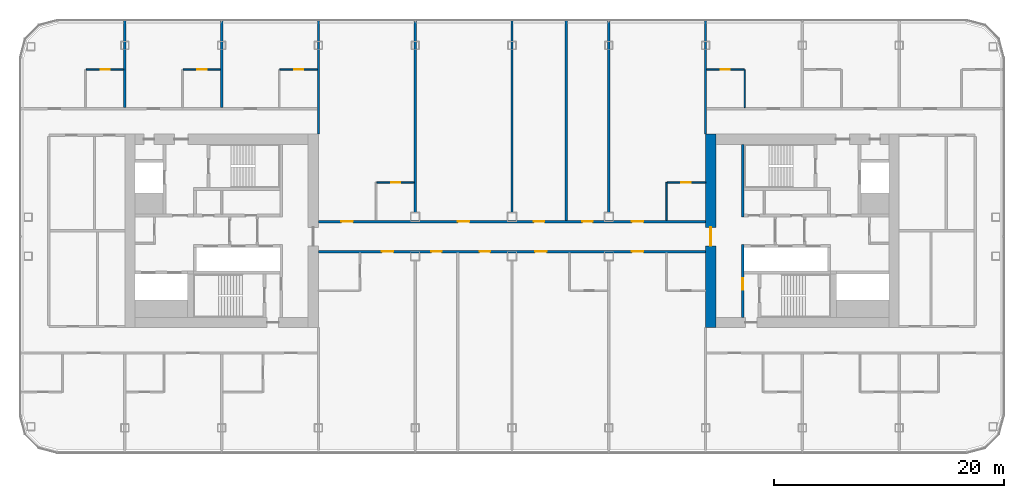
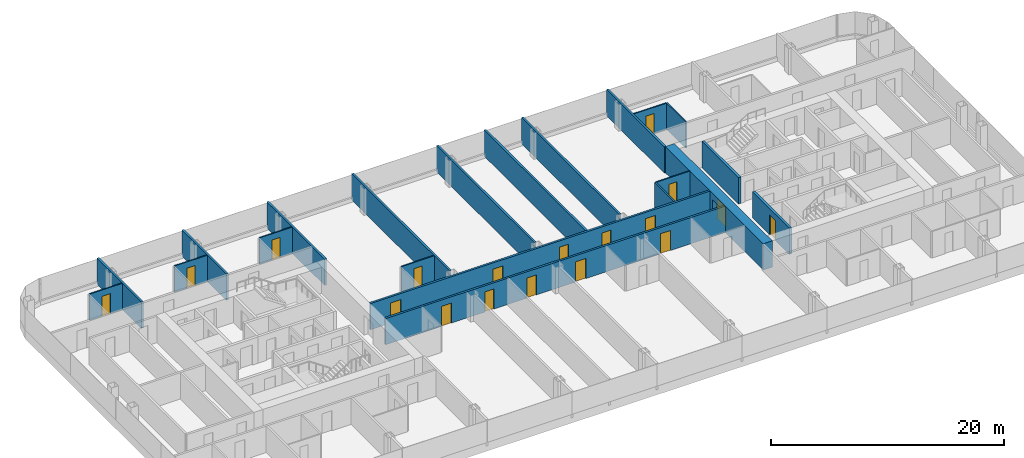
# One storey, part 14 of 25: 21 walls, 18 doors, 18 openings.
"""IFC4 building model written with IfcOpenShell, lengths in metres."""

from ifc_helpers import new_model, si_unit, direction, frame, frame_2d, origin, place, context, subcontext, project, spatial, rectangle, extrude, material, layer, layer_set, type_object, element, fill, save


model = new_model("IFC4")

# Units and contexts
model_context = context("Model", 3, precision=1e-05, world=origin(), true_north=direction((0.0, 1.0)))
body_context = subcontext(model_context, "Body", "Model", "MODEL_VIEW")
ifc_project = project(units=[si_unit("LENGTHUNIT", "METRE"), si_unit("AREAUNIT", "SQUARE_METRE"), si_unit("VOLUMEUNIT", "CUBIC_METRE"), si_unit("PLANEANGLEUNIT", "RADIAN"), si_unit("MASSUNIT", "GRAM", prefix="KILO")], contexts=[model_context])

# Site, building, storey
site_placement = place(None, origin())
site = spatial("IfcSite", under=ifc_project, at=site_placement, CompositionType="ELEMENT")
building_placement = place(site_placement, origin())
building = spatial("IfcBuilding", under=site, at=building_placement, Name="Hakoniwa Tower and Hamabe Station Hall", CompositionType="ELEMENT")
storey_placement = place(building_placement, frame((0.0, 0.0, 147.0)))
storey = spatial("IfcBuildingStorey", under=building, at=storey_placement, Name="L41", CompositionType="ELEMENT", Elevation=147.0)

# Wall, opening, door
ifc_material_1 = material(Name="Gypsum board partition", Category="gypsum")
ifc_layer_1 = layer(ifc_material_1, 0.125)
ifc_layer_set_1 = layer_set([ifc_layer_1], Name="Bathroom Partition 125")
wall_type_1 = type_object("IfcWallType", Name="Bathroom Partition 125", PredefinedType="PARTITIONING", material=ifc_layer_set_1)
wall_1_placement = place(storey_placement, frame((-11.737548828125, 4.199951171875, 0.0), z_axis=(0.0, 0.0, 1.0), x_axis=(1.0, 0.0, 0.0)))
wall_1 = element("IfcWall", 1, at=wall_1_placement, inside=storey, type_object=wall_type_1, Name="GW-L41-017", PredefinedType="PARTITIONING", context=body_context, shape_type="SweptSolid", body=[
    extrude(rectangle(XDim=3.237548828125, YDim=0.125, at=frame_2d((1.61865234375, 0.0))), origin(), (0.0, 0.0, 1.0), 2.75),
])
opening_1_placement = place(wall_1_placement, frame((1.237548828125, 0.0, 0.0)))
opening_1 = element("IfcOpeningElement", 2, at=opening_1_placement, cuts=wall_1, Name="Opening GD-G3A1-28", PredefinedType="OPENING", context=body_context, shape_type="SweptSolid", body=[
    extrude(rectangle(XDim=0.800048828125, YDim=2.10009765625, at=frame_2d((0.39990234375, 1.050048828125))), frame((0.0, 0.072509765625, 0.0), z_axis=(0.0, -1.0, 0.0), x_axis=(1.0, 0.0, 0.0)), (0.0, 0.0, 1.0), 0.14501953125),
])
ifc_material_2 = material(Name="Timber door leaf", Category="wood")
door_type_1 = type_object("IfcDoorType", Name="Bathroom Door 800", OperationType="SINGLE_SWING_LEFT", PredefinedType="DOOR", material=ifc_material_2)
door_1_placement = place(opening_1_placement, origin())
door_1 = element("IfcDoor", 3, at=door_1_placement, inside=storey, type_object=door_type_1, Name="Door GD-G3A1-28", OperationType="SINGLE_SWING_LEFT", OverallHeight=2.10009765625, OverallWidth=0.800048828125, PredefinedType="DOOR", context=body_context, shape_type="SweptSolid", body=[
    extrude(rectangle(XDim=0.800048828125, YDim=2.10009765625, at=frame_2d((0.39990234375, 1.050048828125))), frame((0.0, 0.02490234375, 0.0), z_axis=(0.0, -1.0, 0.0), x_axis=(1.0, 0.0, 0.0)), (0.0, 0.0, 1.0), 0.050048828125),
])
fill(opening_1, door_1)

wall_2_placement = place(storey_placement, frame((13.46240234375, 4.199951171875, 0.0), z_axis=(0.0, 0.0, 1.0), x_axis=(1.0, 0.0, 0.0)))
wall_2 = element("IfcWall", 4, at=wall_2_placement, inside=storey, type_object=wall_type_1, Name="GW-L41-018", PredefinedType="PARTITIONING", context=body_context, shape_type="SweptSolid", body=[
    extrude(rectangle(XDim=3.34765625, YDim=0.125, at=frame_2d((1.673828125, 0.0))), origin(), (0.0, 0.0, 1.0), 2.75),
])
opening_2_placement = place(wall_2_placement, frame((1.237548828125, 0.0, 0.0)))
opening_2 = element("IfcOpeningElement", 5, at=opening_2_placement, cuts=wall_2, Name="Opening GD-G3A1-29", PredefinedType="OPENING", context=body_context, shape_type="SweptSolid", body=[
    extrude(rectangle(XDim=0.800048828125, YDim=2.10009765625, at=frame_2d((0.39990234375, 1.050048828125))), frame((0.0, 0.072509765625, 0.0), z_axis=(0.0, -1.0, 0.0), x_axis=(1.0, 0.0, 0.0)), (0.0, 0.0, 1.0), 0.14501953125),
])
door_2_placement = place(opening_2_placement, origin())
door_2 = element("IfcDoor", 6, at=door_2_placement, inside=storey, type_object=door_type_1, Name="Door GD-G3A1-29", OperationType="SINGLE_SWING_LEFT", OverallHeight=2.10009765625, OverallWidth=0.800048828125, PredefinedType="DOOR", context=body_context, shape_type="SweptSolid", body=[
    extrude(rectangle(XDim=0.800048828125, YDim=2.10009765625, at=frame_2d((0.39990234375, 1.050048828125))), frame((0.0, 0.02490234375, 0.0), z_axis=(0.0, -1.0, 0.0), x_axis=(1.0, 0.0, 0.0)), (0.0, 0.0, 1.0), 0.050048828125),
])
fill(opening_2, door_2)

wall_3_placement = place(storey_placement, frame((-36.9375, 14.0, 0.0), z_axis=(0.0, 0.0, 1.0), x_axis=(1.0, 0.0, 0.0)))
wall_3 = element("IfcWall", 7, at=wall_3_placement, inside=storey, type_object=wall_type_1, Name="GW-L41-023", PredefinedType="PARTITIONING", context=body_context, shape_type="SweptSolid", body=[
    extrude(rectangle(XDim=3.237548828125, YDim=0.125, at=frame_2d((1.61865234375, 0.0))), origin(), (0.0, 0.0, 1.0), 2.75),
])
opening_3_placement = place(wall_3_placement, frame((1.237548828125, 0.0, 0.0)))
opening_3 = element("IfcOpeningElement", 8, at=opening_3_placement, cuts=wall_3, Name="Opening GD-G3A1-40", PredefinedType="OPENING", context=body_context, shape_type="SweptSolid", body=[
    extrude(rectangle(XDim=0.800048828125, YDim=2.10009765625, at=frame_2d((0.39990234375, 1.050048828125))), frame((0.0, 0.072509765625, 0.0), z_axis=(0.0, -1.0, 0.0), x_axis=(1.0, 0.0, 0.0)), (0.0, 0.0, 1.0), 0.14501953125),
])
door_3_placement = place(opening_3_placement, origin())
door_3 = element("IfcDoor", 9, at=door_3_placement, inside=storey, type_object=door_type_1, Name="Door GD-G3A1-40", OperationType="SINGLE_SWING_LEFT", OverallHeight=2.10009765625, OverallWidth=0.800048828125, PredefinedType="DOOR", context=body_context, shape_type="SweptSolid", body=[
    extrude(rectangle(XDim=0.800048828125, YDim=2.10009765625, at=frame_2d((0.39990234375, 1.050048828125))), frame((0.0, 0.02490234375, 0.0), z_axis=(0.0, -1.0, 0.0), x_axis=(1.0, 0.0, 0.0)), (0.0, 0.0, 1.0), 0.050048828125),
])
fill(opening_3, door_3)

wall_4_placement = place(storey_placement, frame((-28.53759765625, 14.0, 0.0), z_axis=(0.0, 0.0, 1.0), x_axis=(1.0, 0.0, 0.0)))
wall_4 = element("IfcWall", 10, at=wall_4_placement, inside=storey, type_object=wall_type_1, Name="GW-L41-024", PredefinedType="PARTITIONING", context=body_context, shape_type="SweptSolid", body=[
    extrude(rectangle(XDim=3.237548828125, YDim=0.125, at=frame_2d((1.61865234375, 0.0))), origin(), (0.0, 0.0, 1.0), 2.75),
])
opening_4_placement = place(wall_4_placement, frame((1.237548828125, 0.0, 0.0)))
opening_4 = element("IfcOpeningElement", 11, at=opening_4_placement, cuts=wall_4, Name="Opening GD-G3A1-41", PredefinedType="OPENING", context=body_context, shape_type="SweptSolid", body=[
    extrude(rectangle(XDim=0.800048828125, YDim=2.10009765625, at=frame_2d((0.39990234375, 1.050048828125))), frame((0.0, 0.072509765625, 0.0), z_axis=(0.0, -1.0, 0.0), x_axis=(1.0, 0.0, 0.0)), (0.0, 0.0, 1.0), 0.14501953125),
])
door_4_placement = place(opening_4_placement, origin())
door_4 = element("IfcDoor", 12, at=door_4_placement, inside=storey, type_object=door_type_1, Name="Door GD-G3A1-41", OperationType="SINGLE_SWING_RIGHT", OverallHeight=2.10009765625, OverallWidth=0.800048828125, PredefinedType="DOOR", context=body_context, shape_type="SweptSolid", body=[
    extrude(rectangle(XDim=0.800048828125, YDim=2.10009765625, at=frame_2d((0.39990234375, 1.050048828125))), frame((0.0, 0.02490234375, 0.0), z_axis=(0.0, -1.0, 0.0), x_axis=(1.0, 0.0, 0.0)), (0.0, 0.0, 1.0), 0.050048828125),
])
fill(opening_4, door_4)

wall_5_placement = place(storey_placement, frame((-20.137451171875, 14.0, 0.0), z_axis=(0.0, 0.0, 1.0), x_axis=(1.0, 0.0, 0.0)))
wall_5 = element("IfcWall", 13, at=wall_5_placement, inside=storey, type_object=wall_type_1, Name="GW-L41-025", PredefinedType="PARTITIONING", context=body_context, shape_type="SweptSolid", body=[
    extrude(rectangle(XDim=3.237548828125, YDim=0.125, at=frame_2d((1.61865234375, 0.0))), origin(), (0.0, 0.0, 1.0), 2.75),
])
opening_5_placement = place(wall_5_placement, frame((1.237548828125, 0.0, 0.0)))
opening_5 = element("IfcOpeningElement", 14, at=opening_5_placement, cuts=wall_5, Name="Opening GD-G3A1-42", PredefinedType="OPENING", context=body_context, shape_type="SweptSolid", body=[
    extrude(rectangle(XDim=0.800048828125, YDim=2.10009765625, at=frame_2d((0.39990234375, 1.050048828125))), frame((0.0, 0.072509765625, 0.0), z_axis=(0.0, -1.0, 0.0), x_axis=(1.0, 0.0, 0.0)), (0.0, 0.0, 1.0), 0.14501953125),
])
door_5_placement = place(opening_5_placement, origin())
door_5 = element("IfcDoor", 15, at=door_5_placement, inside=storey, type_object=door_type_1, Name="Door GD-G3A1-42", OperationType="SINGLE_SWING_LEFT", OverallHeight=2.10009765625, OverallWidth=0.800048828125, PredefinedType="DOOR", context=body_context, shape_type="SweptSolid", body=[
    extrude(rectangle(XDim=0.800048828125, YDim=2.10009765625, at=frame_2d((0.39990234375, 1.050048828125))), frame((0.0, 0.02490234375, 0.0), z_axis=(0.0, -1.0, 0.0), x_axis=(1.0, 0.0, 0.0)), (0.0, 0.0, 1.0), 0.050048828125),
])
fill(opening_5, door_5)

wall_6_placement = place(storey_placement, frame((16.89990234375, 14.0, 0.0), z_axis=(0.0, 0.0, 1.0), x_axis=(1.0, 0.0, 0.0)))
wall_6 = element("IfcWall", 16, at=wall_6_placement, inside=storey, type_object=wall_type_1, Name="GW-L41-026", PredefinedType="PARTITIONING", context=body_context, shape_type="SweptSolid", body=[
    extrude(rectangle(XDim=3.237548828125, YDim=0.125, at=frame_2d((1.61865234375, 0.0))), origin(), (0.0, 0.0, 1.0), 2.75),
])
opening_6_placement = place(wall_6_placement, frame((1.199951171875, 0.0, 0.0)))
opening_6 = element("IfcOpeningElement", 17, at=opening_6_placement, cuts=wall_6, Name="Opening GD-G3A1-43", PredefinedType="OPENING", context=body_context, shape_type="SweptSolid", body=[
    extrude(rectangle(XDim=0.800048828125, YDim=2.10009765625, at=frame_2d((0.39990234375, 1.050048828125))), frame((0.0, 0.072509765625, 0.0), z_axis=(0.0, -1.0, 0.0), x_axis=(1.0, 0.0, 0.0)), (0.0, 0.0, 1.0), 0.14501953125),
])
door_6_placement = place(opening_6_placement, origin())
door_6 = element("IfcDoor", 18, at=door_6_placement, inside=storey, type_object=door_type_1, Name="Door GD-G3A1-43", OperationType="SINGLE_SWING_RIGHT", OverallHeight=2.10009765625, OverallWidth=0.800048828125, PredefinedType="DOOR", context=body_context, shape_type="SweptSolid", body=[
    extrude(rectangle(XDim=0.800048828125, YDim=2.10009765625, at=frame_2d((0.39990234375, 1.050048828125))), frame((0.0, 0.02490234375, 0.0), z_axis=(0.0, -1.0, 0.0), x_axis=(1.0, 0.0, 0.0)), (0.0, 0.0, 1.0), 0.050048828125),
])
fill(opening_6, door_6)

# Walls
for number, where, z_axis, x_axis, name in (
    (19, (13.39990234375, 0.89990234375, 0.0), (0.0, 0.0, 1.0), (0.0, 1.0, 0.0), "GW-L41-056"),
    (20, (20.199951171875, 10.699951171875, 0.0), (0.0, 0.0, 1.0), (0.0, 1.0, 0.0), "GW-L41-059"),
):
    element("IfcWall", number, at=place(storey_placement, frame(where, z_axis=z_axis, x_axis=x_axis)), inside=storey, type_object=wall_type_1, Name=name, PredefinedType="PARTITIONING", context=body_context, shape_type="SweptSolid", body=[
        extrude(rectangle(XDim=3.300048828125, YDim=0.125, at=frame_2d((1.64990234375, 0.0))), origin(), (0.0, 0.0, 1.0), 2.75),
    ])

# Wall, opening, door
ifc_material_3 = material(Name="Concrete C66", Category="concrete")
ifc_layer_2 = layer(ifc_material_3, 0.89990234375)
ifc_layer_set_2 = layer_set([ifc_layer_2], Name="CORE WALL 900 C66")
wall_type_2 = type_object("IfcWallType", Name="CORE WALL 900 C66", PredefinedType="SHEAR", material=ifc_layer_set_2)
wall_7_placement = place(storey_placement, frame((17.25, -8.39990234375, 0.0), z_axis=(0.0, 0.0, 1.0), x_axis=(0.0, 1.0, 0.0)))
wall_7 = element("IfcWall", 21, at=wall_7_placement, inside=storey, type_object=wall_type_2, Name="Core wall INNER east", PredefinedType="SHEAR", context=body_context, shape_type="SweptSolid", body=[
    extrude(rectangle(XDim=16.7998046875, YDim=0.89990234375, at=frame_2d((8.39990234375, 0.0))), origin(), (0.0, 0.0, 1.0), 2.75),
])
opening_7_placement = place(wall_7_placement, frame((7.10009765625, 0.0, 0.0)))
opening_7 = element("IfcOpeningElement", 22, at=opening_7_placement, cuts=wall_7, Name="Opening CD-E-IN1-16", PredefinedType="OPENING", context=body_context, shape_type="SweptSolid", body=[
    extrude(rectangle(XDim=1.60009765625, YDim=2.10009765625, at=frame_2d((0.800048828125, 1.050048828125))), frame((0.0, 0.4599609375, 0.0), z_axis=(0.0, -1.0, 0.0), x_axis=(1.0, 0.0, 0.0)), (0.0, 0.0, 1.0), 0.919921875),
])
ifc_material_4 = material(Name="Steel fire door", Category="steel")
door_type_2 = type_object("IfcDoorType", Name="CORE DOOR 1600 FD60", OperationType="DOUBLE_DOOR_SINGLE_SWING", PredefinedType="DOOR", material=ifc_material_4)
door_7_placement = place(opening_7_placement, origin())
door_7 = element("IfcDoor", 23, at=door_7_placement, inside=storey, type_object=door_type_2, Name="Lift lobby door", OperationType="DOUBLE_DOOR_SINGLE_SWING", OverallHeight=2.10009765625, OverallWidth=1.60009765625, PredefinedType="DOOR", context=body_context, shape_type="SweptSolid", body=[
    extrude(rectangle(XDim=1.60009765625, YDim=2.10009765625, at=frame_2d((0.800048828125, 1.050048828125))), frame((0.0, 0.02490234375, 0.0), z_axis=(0.0, -1.0, 0.0), x_axis=(1.0, 0.0, 0.0)), (0.0, 0.0, 1.0), 0.050048828125),
])
fill(opening_7, door_7)

# Wall
ifc_material_5 = material(Name="Concrete C66", Category="concrete")
ifc_layer_3 = layer(ifc_material_5, 0.25)
ifc_layer_set_3 = layer_set([ifc_layer_3], Name="CORE WEB WALL 250 C66")
wall_type_3 = type_object("IfcWallType", Name="CORE WEB WALL 250 C66", PredefinedType="SHEAR", material=ifc_layer_set_3)
wall_8_placement = place(storey_placement, frame((20.02490234375, 1.199951171875, 0.0), z_axis=(0.0, 0.0, 1.0), x_axis=(0.0, 1.0, 0.0)))
element("IfcWall", 24, at=wall_8_placement, inside=storey, type_object=wall_type_3, Name="Core wall W1N east", PredefinedType="SHEAR", context=body_context, shape_type="SweptSolid", body=[
    extrude(rectangle(XDim=6.300048828125, YDim=0.25, at=frame_2d((3.14990234375, 0.0))), origin(), (0.0, 0.0, 1.0), 2.75),
])

# Wall, opening, door
wall_9_placement = place(storey_placement, frame((20.02490234375, -7.5, 0.0), z_axis=(0.0, 0.0, 1.0), x_axis=(0.0, 1.0, 0.0)))
wall_9 = element("IfcWall", 25, at=wall_9_placement, inside=storey, type_object=wall_type_3, Name="Core wall W1S east", PredefinedType="SHEAR", context=body_context, shape_type="SweptSolid", body=[
    extrude(rectangle(XDim=6.300048828125, YDim=0.25, at=frame_2d((3.14990234375, 0.0))), origin(), (0.0, 0.0, 1.0), 2.75),
])
opening_8_placement = place(wall_9_placement, frame((2.39990234375, 0.0, 0.0)))
opening_8 = element("IfcOpeningElement", 26, at=opening_8_placement, cuts=wall_9, Name="Opening CD-E-VS-10", PredefinedType="OPENING", context=body_context, shape_type="SweptSolid", body=[
    extrude(rectangle(XDim=1.0, YDim=2.10009765625, at=frame_2d((0.5, 1.050048828125))), frame((0.0, 0.135009765625, 0.0), z_axis=(0.0, -1.0, 0.0), x_axis=(1.0, 0.0, 0.0)), (0.0, 0.0, 1.0), 0.27001953125),
])
ifc_material_6 = material(Name="Steel fire door", Category="steel")
door_type_3 = type_object("IfcDoorType", Name="CORE DOOR 1000 FD60", OperationType="NOTDEFINED", PredefinedType="DOOR", material=ifc_material_6)
door_8_placement = place(opening_8_placement, origin())
door_8 = element("IfcDoor", 27, at=door_8_placement, inside=storey, type_object=door_type_3, Name="Stair vestibule door", OperationType="SINGLE_SWING_RIGHT", OverallHeight=2.10009765625, OverallWidth=1.0, PredefinedType="DOOR", context=body_context, shape_type="SweptSolid", body=[
    extrude(rectangle(XDim=1.0, YDim=2.10009765625, at=frame_2d((0.5, 1.050048828125))), frame((0.0, 0.02490234375, 0.0), z_axis=(0.0, -1.0, 0.0), x_axis=(1.0, 0.0, 0.0)), (0.0, 0.0, 1.0), 0.050048828125),
])
fill(opening_8, door_8)

# Wall, openings, doors
ifc_material_7 = material(Name="Fire-rated gypsum board partition", Category="gypsum")
ifc_layer_4 = layer(ifc_material_7, 0.199951171875)
ifc_layer_set_4 = layer_set([ifc_layer_4], Name="Corridor Wall 200")
wall_type_4 = type_object("IfcWallType", Name="Corridor Wall 200", PredefinedType="PARTITIONING", material=ifc_layer_set_4)
wall_10_placement = place(storey_placement, frame((-16.800048828125, -1.800048828125, 0.0), z_axis=(0.0, 0.0, 1.0), x_axis=(1.0, 0.0, 0.0)))
wall_10 = element("IfcWall", 28, at=wall_10_placement, inside=storey, type_object=wall_type_4, Name="GW-L41-013", PredefinedType="PARTITIONING", context=body_context, shape_type="SweptSolid", body=[
    extrude(rectangle(XDim=33.60009765625, YDim=0.199951171875, at=frame_2d((16.800048828125, 0.0))), origin(), (0.0, 0.0, 1.0), 2.75),
])
opening_9_placement = place(wall_10_placement, frame((5.5, 0.0, 0.0)))
opening_9 = element("IfcOpeningElement", 29, at=opening_9_placement, cuts=wall_10, Name="Opening GD-G3A1-18", PredefinedType="OPENING", context=body_context, shape_type="SweptSolid", body=[
    extrude(rectangle(XDim=1.0, YDim=2.10009765625, at=frame_2d((0.5, 1.050048828125))), frame((0.0, 0.10986328125, 0.0), z_axis=(0.0, -1.0, 0.0), x_axis=(1.0, 0.0, 0.0)), (0.0, 0.0, 1.0), 0.219970703125),
])
opening_10_placement = place(wall_10_placement, frame((9.800048828125, 0.0, 0.0)))
opening_10 = element("IfcOpeningElement", 30, at=opening_10_placement, cuts=wall_10, Name="Opening GD-G3A1-19", PredefinedType="OPENING", context=body_context, shape_type="SweptSolid", body=[
    extrude(rectangle(XDim=0.89990234375, YDim=2.10009765625, at=frame_2d((0.449951171875, 1.050048828125))), frame((0.0, 0.10986328125, 0.0), z_axis=(0.0, -1.0, 0.0), x_axis=(1.0, 0.0, 0.0)), (0.0, 0.0, 1.0), 0.219970703125),
])
opening_11_placement = place(wall_10_placement, frame((14.0, 0.0, 0.0)))
opening_11 = element("IfcOpeningElement", 31, at=opening_11_placement, cuts=wall_10, Name="Opening GD-G3A1-20", PredefinedType="OPENING", context=body_context, shape_type="SweptSolid", body=[
    extrude(rectangle(XDim=0.89990234375, YDim=2.10009765625, at=frame_2d((0.449951171875, 1.050048828125))), frame((0.0, 0.10986328125, 0.0), z_axis=(0.0, -1.0, 0.0), x_axis=(1.0, 0.0, 0.0)), (0.0, 0.0, 1.0), 0.219970703125),
])
opening_12_placement = place(wall_10_placement, frame((18.800048828125, 0.0, 0.0)))
opening_12 = element("IfcOpeningElement", 32, at=opening_12_placement, cuts=wall_10, Name="Opening GD-G3A1-21", PredefinedType="OPENING", context=body_context, shape_type="SweptSolid", body=[
    extrude(rectangle(XDim=1.0, YDim=2.10009765625, at=frame_2d((0.5, 1.050048828125))), frame((0.0, 0.10986328125, 0.0), z_axis=(0.0, -1.0, 0.0), x_axis=(1.0, 0.0, 0.0)), (0.0, 0.0, 1.0), 0.219970703125),
])
opening_13_placement = place(wall_10_placement, frame((27.199951171875, 0.0, 0.0)))
opening_13 = element("IfcOpeningElement", 33, at=opening_13_placement, cuts=wall_10, Name="Opening GD-G3A1-22", PredefinedType="OPENING", context=body_context, shape_type="SweptSolid", body=[
    extrude(rectangle(XDim=1.0, YDim=2.10009765625, at=frame_2d((0.5, 1.050048828125))), frame((0.0, 0.10986328125, 0.0), z_axis=(0.0, -1.0, 0.0), x_axis=(1.0, 0.0, 0.0)), (0.0, 0.0, 1.0), 0.219970703125),
])
ifc_material_8 = material(Name="Timber door leaf", Category="wood")
door_type_4 = type_object("IfcDoorType", Name="Accessible Guest Entrance Door 1000", OperationType="SINGLE_SWING_LEFT", PredefinedType="DOOR", material=ifc_material_8)
door_9_placement = place(opening_9_placement, origin())
door_9 = element("IfcDoor", 34, at=door_9_placement, inside=storey, type_object=door_type_4, Name="Door GD-G3A1-18", OperationType="SINGLE_SWING_RIGHT", OverallHeight=2.10009765625, OverallWidth=1.0, PredefinedType="DOOR", context=body_context, shape_type="SweptSolid", body=[
    extrude(rectangle(XDim=1.0, YDim=2.10009765625, at=frame_2d((0.5, 1.050048828125))), frame((0.0, 0.02490234375, 0.0), z_axis=(0.0, -1.0, 0.0), x_axis=(1.0, 0.0, 0.0)), (0.0, 0.0, 1.0), 0.050048828125),
])
fill(opening_9, door_9)
ifc_material_9 = material(Name="Timber door leaf", Category="wood")
door_type_5 = type_object("IfcDoorType", Name="Guest Entrance Door 1000", OperationType="SINGLE_SWING_LEFT", PredefinedType="DOOR", material=ifc_material_9)
door_10_placement = place(opening_12_placement, origin())
door_10 = element("IfcDoor", 35, at=door_10_placement, inside=storey, type_object=door_type_5, Name="Door GD-G3A1-21", OperationType="SINGLE_SWING_RIGHT", OverallHeight=2.10009765625, OverallWidth=1.0, PredefinedType="DOOR", context=body_context, shape_type="SweptSolid", body=[
    extrude(rectangle(XDim=1.0, YDim=2.10009765625, at=frame_2d((0.5, 1.050048828125))), frame((0.0, 0.02490234375, 0.0), z_axis=(0.0, -1.0, 0.0), x_axis=(1.0, 0.0, 0.0)), (0.0, 0.0, 1.0), 0.050048828125),
])
fill(opening_12, door_10)
door_11_placement = place(opening_13_placement, origin())
door_11 = element("IfcDoor", 36, at=door_11_placement, inside=storey, type_object=door_type_5, Name="Door GD-G3A1-22", OperationType="SINGLE_SWING_LEFT", OverallHeight=2.10009765625, OverallWidth=1.0, PredefinedType="DOOR", context=body_context, shape_type="SweptSolid", body=[
    extrude(rectangle(XDim=1.0, YDim=2.10009765625, at=frame_2d((0.5, 1.050048828125))), frame((0.0, 0.02490234375, 0.0), z_axis=(0.0, -1.0, 0.0), x_axis=(1.0, 0.0, 0.0)), (0.0, 0.0, 1.0), 0.050048828125),
])
fill(opening_13, door_11)
ifc_material_10 = material(Name="Timber door leaf", Category="wood")
door_type_6 = type_object("IfcDoorType", Name="Service Door 900", OperationType="SINGLE_SWING_LEFT", PredefinedType="DOOR", material=ifc_material_10)
door_12_placement = place(opening_10_placement, origin())
door_12 = element("IfcDoor", 37, at=door_12_placement, inside=storey, type_object=door_type_6, Name="Door GD-G3A1-19", OperationType="SINGLE_SWING_RIGHT", OverallHeight=2.10009765625, OverallWidth=0.89990234375, PredefinedType="DOOR", context=body_context, shape_type="SweptSolid", body=[
    extrude(rectangle(XDim=0.89990234375, YDim=2.10009765625, at=frame_2d((0.449951171875, 1.050048828125))), frame((0.0, 0.02490234375, 0.0), z_axis=(0.0, -1.0, 0.0), x_axis=(1.0, 0.0, 0.0)), (0.0, 0.0, 1.0), 0.050048828125),
])
fill(opening_10, door_12)
door_13_placement = place(opening_11_placement, origin())
door_13 = element("IfcDoor", 38, at=door_13_placement, inside=storey, type_object=door_type_6, Name="Door GD-G3A1-20", OperationType="SINGLE_SWING_LEFT", OverallHeight=2.10009765625, OverallWidth=0.89990234375, PredefinedType="DOOR", context=body_context, shape_type="SweptSolid", body=[
    extrude(rectangle(XDim=0.89990234375, YDim=2.10009765625, at=frame_2d((0.449951171875, 1.050048828125))), frame((0.0, 0.02490234375, 0.0), z_axis=(0.0, -1.0, 0.0), x_axis=(1.0, 0.0, 0.0)), (0.0, 0.0, 1.0), 0.050048828125),
])
fill(opening_11, door_13)

wall_11_placement = place(storey_placement, frame((-16.800048828125, 0.800048828125, 0.0), z_axis=(0.0, 0.0, 1.0), x_axis=(1.0, 0.0, 0.0)))
wall_11 = element("IfcWall", 39, at=wall_11_placement, inside=storey, type_object=wall_type_4, Name="GW-L41-016", PredefinedType="PARTITIONING", context=body_context, shape_type="SweptSolid", body=[
    extrude(rectangle(XDim=33.60009765625, YDim=0.199951171875, at=frame_2d((16.800048828125, 0.0))), origin(), (0.0, 0.0, 1.0), 2.75),
])
opening_14_placement = place(wall_11_placement, frame((2.0, 0.0, 0.0)))
opening_14 = element("IfcOpeningElement", 40, at=opening_14_placement, cuts=wall_11, Name="Opening GD-G3A1-23", PredefinedType="OPENING", context=body_context, shape_type="SweptSolid", body=[
    extrude(rectangle(XDim=1.0, YDim=2.10009765625, at=frame_2d((0.5, 1.050048828125))), frame((0.0, 0.10986328125, 0.0), z_axis=(0.0, -1.0, 0.0), x_axis=(1.0, 0.0, 0.0)), (0.0, 0.0, 1.0), 0.219970703125),
])
opening_15_placement = place(wall_11_placement, frame((12.10009765625, 0.0, 0.0)))
opening_15 = element("IfcOpeningElement", 41, at=opening_15_placement, cuts=wall_11, Name="Opening GD-G3A1-24", PredefinedType="OPENING", context=body_context, shape_type="SweptSolid", body=[
    extrude(rectangle(XDim=1.0, YDim=2.10009765625, at=frame_2d((0.5, 1.050048828125))), frame((0.0, 0.10986328125, 0.0), z_axis=(0.0, -1.0, 0.0), x_axis=(1.0, 0.0, 0.0)), (0.0, 0.0, 1.0), 0.219970703125),
])
opening_16_placement = place(wall_11_placement, frame((18.699951171875, 0.0, 0.0)))
opening_16 = element("IfcOpeningElement", 42, at=opening_16_placement, cuts=wall_11, Name="Opening GD-G3A1-25", PredefinedType="OPENING", context=body_context, shape_type="SweptSolid", body=[
    extrude(rectangle(XDim=0.89990234375, YDim=2.10009765625, at=frame_2d((0.449951171875, 1.050048828125))), frame((0.0, 0.10986328125, 0.0), z_axis=(0.0, -1.0, 0.0), x_axis=(1.0, 0.0, 0.0)), (0.0, 0.0, 1.0), 0.219970703125),
])
opening_17_placement = place(wall_11_placement, frame((22.89990234375, 0.0, 0.0)))
opening_17 = element("IfcOpeningElement", 43, at=opening_17_placement, cuts=wall_11, Name="Opening GD-G3A1-26", PredefinedType="OPENING", context=body_context, shape_type="SweptSolid", body=[
    extrude(rectangle(XDim=0.89990234375, YDim=2.10009765625, at=frame_2d((0.449951171875, 1.050048828125))), frame((0.0, 0.10986328125, 0.0), z_axis=(0.0, -1.0, 0.0), x_axis=(1.0, 0.0, 0.0)), (0.0, 0.0, 1.0), 0.219970703125),
])
opening_18_placement = place(wall_11_placement, frame((27.199951171875, 0.0, 0.0)))
opening_18 = element("IfcOpeningElement", 44, at=opening_18_placement, cuts=wall_11, Name="Opening GD-G3A1-27", PredefinedType="OPENING", context=body_context, shape_type="SweptSolid", body=[
    extrude(rectangle(XDim=1.0, YDim=2.10009765625, at=frame_2d((0.5, 1.050048828125))), frame((0.0, 0.10986328125, 0.0), z_axis=(0.0, -1.0, 0.0), x_axis=(1.0, 0.0, 0.0)), (0.0, 0.0, 1.0), 0.219970703125),
])
door_14_placement = place(opening_14_placement, origin())
door_14 = element("IfcDoor", 45, at=door_14_placement, inside=storey, type_object=door_type_5, Name="Door GD-G3A1-23", OperationType="SINGLE_SWING_LEFT", OverallHeight=2.10009765625, OverallWidth=1.0, PredefinedType="DOOR", context=body_context, shape_type="SweptSolid", body=[
    extrude(rectangle(XDim=1.0, YDim=2.10009765625, at=frame_2d((0.5, 1.050048828125))), frame((0.0, 0.02490234375, 0.0), z_axis=(0.0, -1.0, 0.0), x_axis=(1.0, 0.0, 0.0)), (0.0, 0.0, 1.0), 0.050048828125),
])
fill(opening_14, door_14)
door_15_placement = place(opening_15_placement, origin())
door_15 = element("IfcDoor", 46, at=door_15_placement, inside=storey, type_object=door_type_5, Name="Door GD-G3A1-24", OperationType="SINGLE_SWING_RIGHT", OverallHeight=2.10009765625, OverallWidth=1.0, PredefinedType="DOOR", context=body_context, shape_type="SweptSolid", body=[
    extrude(rectangle(XDim=1.0, YDim=2.10009765625, at=frame_2d((0.5, 1.050048828125))), frame((0.0, 0.02490234375, 0.0), z_axis=(0.0, -1.0, 0.0), x_axis=(1.0, 0.0, 0.0)), (0.0, 0.0, 1.0), 0.050048828125),
])
fill(opening_15, door_15)
door_16_placement = place(opening_18_placement, origin())
door_16 = element("IfcDoor", 47, at=door_16_placement, inside=storey, type_object=door_type_5, Name="Door GD-G3A1-27", OperationType="SINGLE_SWING_LEFT", OverallHeight=2.10009765625, OverallWidth=1.0, PredefinedType="DOOR", context=body_context, shape_type="SweptSolid", body=[
    extrude(rectangle(XDim=1.0, YDim=2.10009765625, at=frame_2d((0.5, 1.050048828125))), frame((0.0, 0.02490234375, 0.0), z_axis=(0.0, -1.0, 0.0), x_axis=(1.0, 0.0, 0.0)), (0.0, 0.0, 1.0), 0.050048828125),
])
fill(opening_18, door_16)
door_17_placement = place(opening_16_placement, origin())
door_17 = element("IfcDoor", 48, at=door_17_placement, inside=storey, type_object=door_type_6, Name="Door GD-G3A1-25", OperationType="SINGLE_SWING_LEFT", OverallHeight=2.10009765625, OverallWidth=0.89990234375, PredefinedType="DOOR", context=body_context, shape_type="SweptSolid", body=[
    extrude(rectangle(XDim=0.89990234375, YDim=2.10009765625, at=frame_2d((0.449951171875, 1.050048828125))), frame((0.0, 0.02490234375, 0.0), z_axis=(0.0, -1.0, 0.0), x_axis=(1.0, 0.0, 0.0)), (0.0, 0.0, 1.0), 0.050048828125),
])
fill(opening_16, door_17)
door_18_placement = place(opening_17_placement, origin())
door_18 = element("IfcDoor", 49, at=door_18_placement, inside=storey, type_object=door_type_6, Name="Door GD-G3A1-26", OperationType="SINGLE_SWING_RIGHT", OverallHeight=2.10009765625, OverallWidth=0.89990234375, PredefinedType="DOOR", context=body_context, shape_type="SweptSolid", body=[
    extrude(rectangle(XDim=0.89990234375, YDim=2.10009765625, at=frame_2d((0.449951171875, 1.050048828125))), frame((0.0, 0.02490234375, 0.0), z_axis=(0.0, -1.0, 0.0), x_axis=(1.0, 0.0, 0.0)), (0.0, 0.0, 1.0), 0.050048828125),
])
fill(opening_17, door_18)

# Walls
ifc_material_11 = material(Name="Fire-rated gypsum board partition", Category="gypsum")
ifc_layer_5 = layer(ifc_material_11, 0.199951171875)
ifc_layer_set_5 = layer_set([ifc_layer_5], Name="Party Wall 200")
wall_type_5 = type_object("IfcWallType", Name="Party Wall 200", PredefinedType="PARTITIONING", material=ifc_layer_set_5)
for number, where, z_axis, x_axis, name in (
    (50, (-33.60009765625, 10.699951171875, 0.0), (0.0, 0.0, 1.0), (0.0, 1.0, 0.0), "GW-L41-035"),
    (51, (-25.199951171875, 10.699951171875, 0.0), (0.0, 0.0, 1.0), (0.0, 1.0, 0.0), "GW-L41-039"),
):
    element("IfcWall", number, at=place(storey_placement, frame(where, z_axis=z_axis, x_axis=x_axis)), inside=storey, type_object=wall_type_5, Name=name, PredefinedType="PARTITIONING", context=body_context, shape_type="SweptSolid", body=[
        extrude(rectangle(XDim=7.60009765625, YDim=0.199951171875, at=frame_2d((3.800048828125, 0.0))), origin(), (0.0, 0.0, 1.0), 2.75),
    ])
wall_12_placement = place(storey_placement, frame((-16.800048828125, 8.389892578125, 0.0), z_axis=(0.0, 0.0, 1.0), x_axis=(0.0, 1.0, 0.0)))
element("IfcWall", 52, at=wall_12_placement, inside=storey, type_object=wall_type_5, Name="GW-L41-043", PredefinedType="PARTITIONING", context=body_context, shape_type="SweptSolid", body=[
    extrude(rectangle(XDim=9.91015625, YDim=0.199951171875, at=frame_2d((4.955078125, 0.0))), origin(), (0.0, 0.0, 1.0), 2.75),
])
for number, where, z_axis, x_axis, name in (
    (53, (-8.39990234375, 1.590087890625, 0.0), (0.0, 0.0, 1.0), (0.0, 1.0, 0.0), "GW-L41-047"),
    (54, (0.0, 1.590087890625, 0.0), (0.0, 0.0, 1.0), (0.0, 1.0, 0.0), "GW-L41-050"),
):
    element("IfcWall", number, at=place(storey_placement, frame(where, z_axis=z_axis, x_axis=x_axis)), inside=storey, type_object=wall_type_5, Name=name, PredefinedType="PARTITIONING", context=body_context, shape_type="SweptSolid", body=[
        extrude(rectangle(XDim=16.7099609375, YDim=0.199951171875, at=frame_2d((8.35498046875, 0.0))), origin(), (0.0, 0.0, 1.0), 2.75),
    ])
wall_13_placement = place(storey_placement, frame((4.699951171875, 0.89990234375, 0.0), z_axis=(0.0, 0.0, 1.0), x_axis=(0.0, 1.0, 0.0)))
element("IfcWall", 55, at=wall_13_placement, inside=storey, type_object=wall_type_5, Name="GW-L41-051", PredefinedType="PARTITIONING", context=body_context, shape_type="SweptSolid", body=[
    extrude(rectangle(XDim=17.400146484375, YDim=0.199951171875, at=frame_2d((8.7001953125, 0.0))), origin(), (0.0, 0.0, 1.0), 2.75),
])
wall_14_placement = place(storey_placement, frame((8.39990234375, 1.590087890625, 0.0), z_axis=(0.0, 0.0, 1.0), x_axis=(0.0, 1.0, 0.0)))
element("IfcWall", 56, at=wall_14_placement, inside=storey, type_object=wall_type_5, Name="GW-L41-054", PredefinedType="PARTITIONING", context=body_context, shape_type="SweptSolid", body=[
    extrude(rectangle(XDim=16.7099609375, YDim=0.199951171875, at=frame_2d((8.35498046875, 0.0))), origin(), (0.0, 0.0, 1.0), 2.75),
])
wall_15_placement = place(storey_placement, frame((16.800048828125, 8.389892578125, 0.0), z_axis=(0.0, 0.0, 1.0), x_axis=(0.0, 1.0, 0.0)))
element("IfcWall", 57, at=wall_15_placement, inside=storey, type_object=wall_type_5, Name="GW-L41-058", PredefinedType="PARTITIONING", context=body_context, shape_type="SweptSolid", body=[
    extrude(rectangle(XDim=9.91015625, YDim=0.199951171875, at=frame_2d((4.955078125, 0.0))), origin(), (0.0, 0.0, 1.0), 2.75),
])

save(model, "model.ifc")
